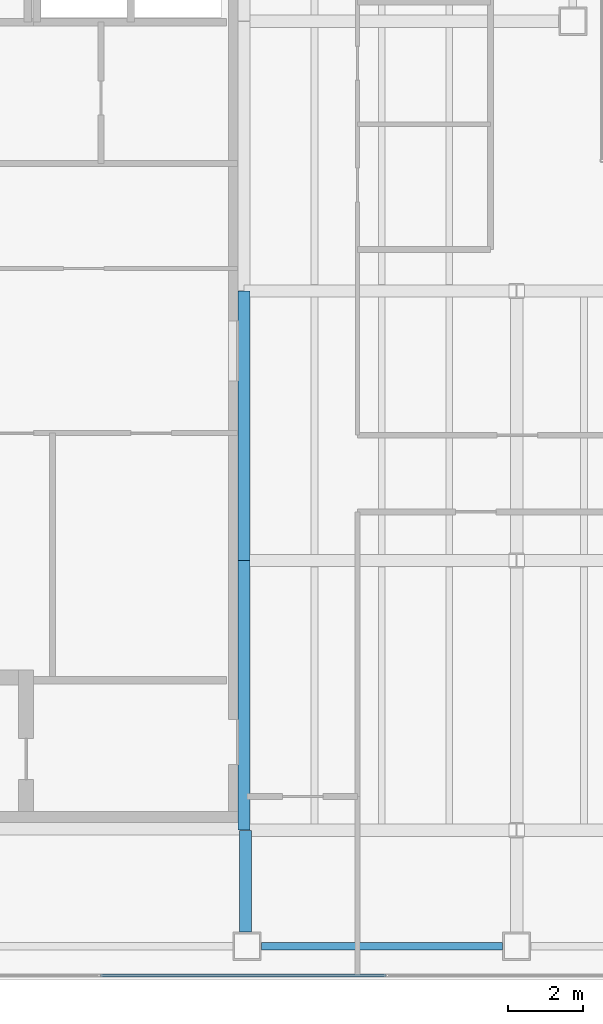
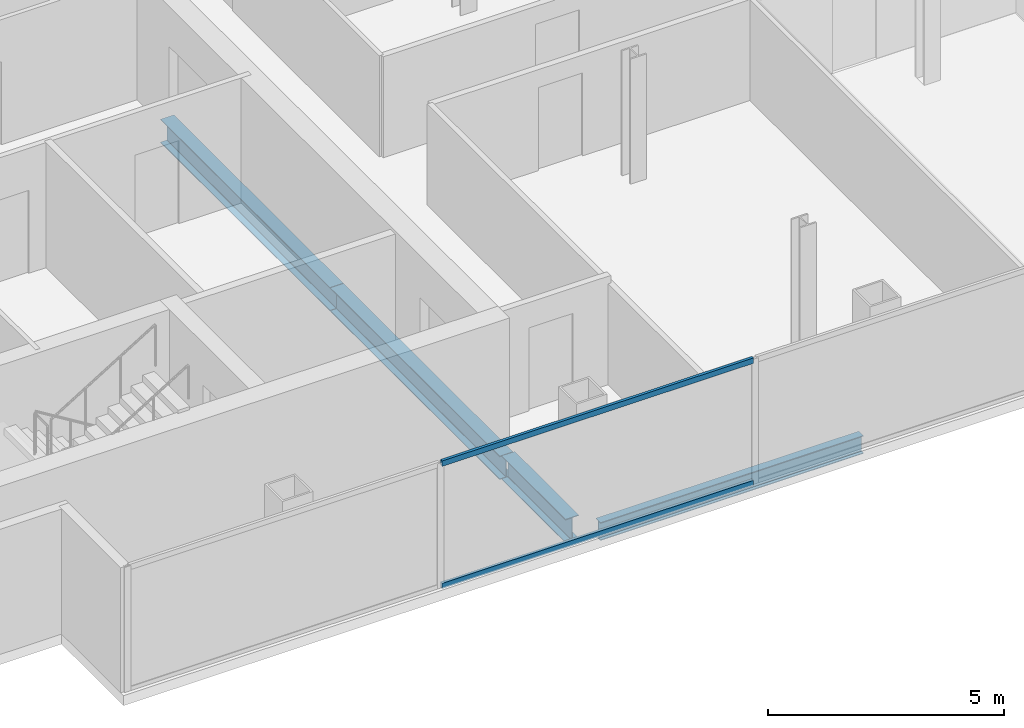
# One storey, part 3 of 23: 4 beams, 2 members, 1 element without a shape of its own.
"""IFC4 building model written with IfcOpenShell, lengths in metres."""

from ifc_helpers import new_model, si_unit, direction, frame, origin, origin_2d, place, context, subcontext, project, spatial, hollow_rectangle, i_section, extrude, material, material_profile, profile_set, type_object, element, aggregate, save


model = new_model("IFC4")

# Units and contexts
model_context = context("Model", 3, precision=1e-05, world=origin(), true_north=direction((0.0, 1.0)))
body_context = subcontext(model_context, "Body", "Model", "MODEL_VIEW")
ifc_project = project(units=[si_unit("LENGTHUNIT", "METRE"), si_unit("AREAUNIT", "SQUARE_METRE"), si_unit("VOLUMEUNIT", "CUBIC_METRE"), si_unit("PLANEANGLEUNIT", "RADIAN"), si_unit("MASSUNIT", "GRAM", prefix="KILO")], contexts=[model_context])

# Site, building, storey
site_placement = place(None, origin())
site = spatial("IfcSite", under=ifc_project, at=site_placement, CompositionType="ELEMENT")
building_placement = place(site_placement, origin())
building = spatial("IfcBuilding", under=site, at=building_placement, Name="Cobrela Telecom Tower", CompositionType="ELEMENT")
storey_placement = place(building_placement, frame((0.0, 0.0, 208.25)))
storey = spatial("IfcBuildingStorey", under=building, at=storey_placement, Name="L53", CompositionType="ELEMENT", Elevation=208.25)

# Beams
ifc_material_1 = material(Name="Steel ASTM A992 Grade 50", Category="steel")
ifc_material_profile_1 = material_profile(ifc_material_1, i_section(OverallWidth=0.324951171875, OverallDepth=0.612060546875, WebThickness=0.0126953125, FlangeThickness=0.01904296875, FilletRadius=0.014892578125, at=origin_2d()), Name="W24X104")
ifc_profile_set_1 = profile_set([ifc_material_profile_1], Name="Steel ASTM A992 Grade 50")
beam_type_1 = type_object("IfcBeamType", Name="BM-GIRD-07", PredefinedType="USERDEFINED", material=ifc_profile_set_1)
beam_1_placement = place(storey_placement, frame((14.360107421875, 4.47998046875, -0.56591796875), z_axis=(0.0, 1.0, 0.0), x_axis=(-1.0, 0.0, 0.0)))
element("IfcBeam", 1, at=beam_1_placement, inside=storey, type_object=beam_type_1, Name="L53 Primary Girder Y26", ObjectType="GIRDER", PredefinedType="USERDEFINED", context=body_context, shape_type="SweptSolid", body=[
    extrude(i_section(OverallWidth=0.324951171875, OverallDepth=0.612060546875, WebThickness=0.0126953125, FlangeThickness=0.01904296875, FilletRadius=0.014892578125, at=origin_2d()), origin(), (0.0, 0.0, 1.0), 2.715087890625),
])
for number, where, z_axis, x_axis, name in (
    (2, (14.320068359375, 7.205078125, -0.56591796875), (0.0, 1.0, 0.0), (-1.0, 0.0, 0.0), "L53 Primary Girder Y27"),
    (3, (14.320068359375, 14.405029296875, -0.56591796875), (0.0, 1.0, 0.0), (-1.0, 0.0, 0.0), "L53 Primary Girder Y28"),
):
    element("IfcBeam", number, at=place(storey_placement, frame(where, z_axis=z_axis, x_axis=x_axis)), inside=storey, type_object=beam_type_1, Name=name, ObjectType="GIRDER", PredefinedType="USERDEFINED", context=body_context, shape_type="SweptSolid", body=[
        extrude(i_section(OverallWidth=0.324951171875, OverallDepth=0.612060546875, WebThickness=0.0126953125, FlangeThickness=0.01904296875, FilletRadius=0.014892578125, at=origin_2d()), origin(), (0.0, 0.0, 1.0), 7.18994140625),
    ])
ifc_material_profile_2 = material_profile(ifc_material_1, i_section(OverallWidth=0.193115234375, OverallDepth=0.467041015625, WebThickness=0.011474609375, FlangeThickness=0.01904296875, FilletRadius=0.012939453125, at=origin_2d()), Name="W18X65")
ifc_profile_set_2 = profile_set([ifc_material_profile_2], Name="Steel ASTM A992 Grade 50")
beam_type_2 = type_object("IfcBeamType", Name="BM-SPAND-05", PredefinedType="SPANDREL", material=ifc_profile_set_2)
beam_2_placement = place(storey_placement, frame((14.780029296875, 4.10009765625, -0.493408203125), z_axis=(1.0, 0.0, 0.0), x_axis=(0.0, 1.0, 0.0)))
element("IfcBeam", 4, at=beam_2_placement, inside=storey, type_object=beam_type_2, Name="L53 Perimeter Spandrel X02", PredefinedType="SPANDREL", context=body_context, shape_type="SweptSolid", body=[
    extrude(i_section(OverallWidth=0.193115234375, OverallDepth=0.467041015625, WebThickness=0.011474609375, FlangeThickness=0.01904296875, FilletRadius=0.012939453125, at=origin_2d()), origin(), (0.0, 0.0, 1.0), 6.43994140625),
])

# Curtain wall, members
ifc_material_2 = material(Name="Anodized Bronze Aluminium 6063-T6", Category="aluminium")
curtain_wall_type = type_object("IfcCurtainWallType", Name="CW-SYS-OFF-LO", PredefinedType="USERDEFINED", material=ifc_material_2)
curtain_wall_placement = place(storey_placement, origin())
curtain_wall = element("IfcCurtainWall", 5, at=curtain_wall_placement, inside=storey, type_object=curtain_wall_type, Name="L53 Unitised Bronze Curtain Wall 17", ObjectType="UNITISED CURTAIN WALL", PredefinedType="USERDEFINED")
ifc_material_profile_3 = material_profile(ifc_material_2, hollow_rectangle(XDim=0.070068359375, YDim=0.139892578125, WallThickness=0.00390625, at=origin_2d()), Name="ALU 70x140x4")
ifc_profile_set_3 = profile_set([ifc_material_profile_3], Name="Anodized Bronze Aluminium 6063-T6")
member_type = type_object("IfcMemberType", Name="CW-SYS-OFF-LO-TRN", PredefinedType="USERDEFINED", material=ifc_profile_set_3)
member_1_placement = place(storey_placement, frame((18.114990234375, 3.320068359375, 0.034912109375), z_axis=(-1.0, 0.0, 0.0), x_axis=(0.0, -1.0, 0.0)))
member_1 = element("IfcMember", 6, at=member_1_placement, type_object=member_type, Name="CW-OFF-LO transom 4.1", ObjectType="TRANSOM", PredefinedType="USERDEFINED", context=body_context, shape_type="SweptSolid", body=[
    extrude(hollow_rectangle(XDim=0.070068359375, YDim=0.139892578125, WallThickness=0.00390625, at=origin_2d()), origin(), (0.0, 0.0, 1.0), 7.6298828125),
])
member_2_placement = place(storey_placement, frame((18.114990234375, 3.320068359375, 3.205078125), z_axis=(-1.0, 0.0, 0.0), x_axis=(0.0, -1.0, 0.0)))
member_2 = element("IfcMember", 7, at=member_2_placement, type_object=member_type, Name="CW-OFF-LO transom 4.2", ObjectType="TRANSOM", PredefinedType="USERDEFINED", context=body_context, shape_type="SweptSolid", body=[
    extrude(hollow_rectangle(XDim=0.070068359375, YDim=0.139892578125, WallThickness=0.00390625, at=origin_2d()), origin(), (0.0, 0.0, 1.0), 7.6298828125),
])
aggregate(curtain_wall, [member_1, member_2])

save(model, "model.ifc")
